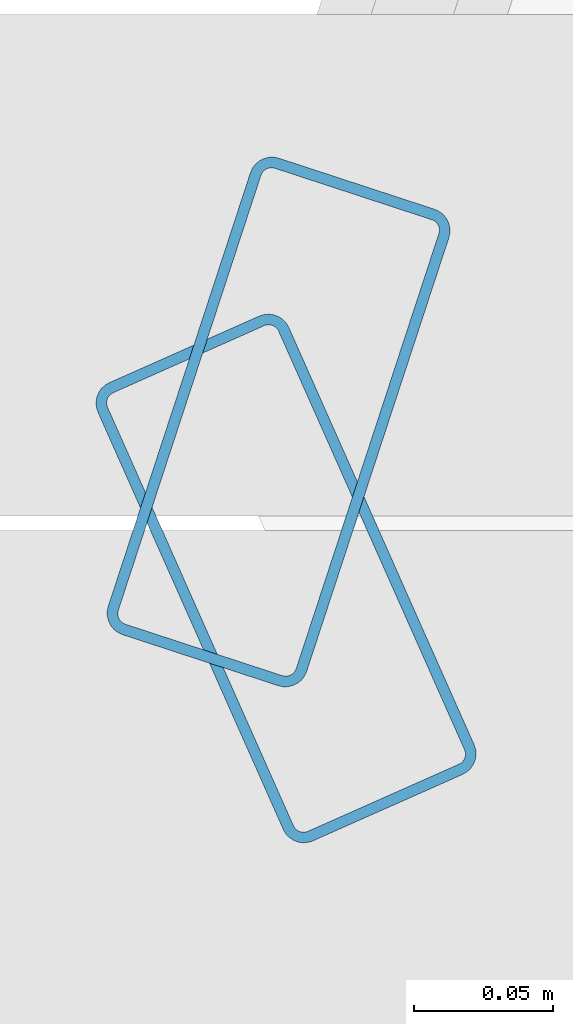
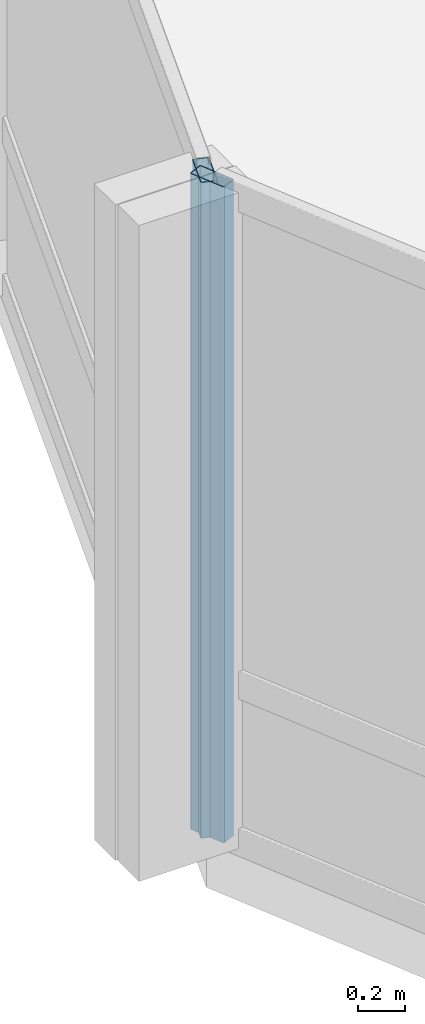
# One storey, part 6 of 34: 2 members, 2 elements without a shape of their own.
"""IFC4 building model written with IfcOpenShell, lengths in metres."""

from ifc_helpers import new_model, si_unit, direction, frame, origin, origin_2d, place, context, subcontext, project, spatial, hollow_rectangle, extrude, material, layer, layer_set, material_profile, profile_set, type_object, element, aggregate, save


model = new_model("IFC4")

# Units and contexts
model_context = context("Model", 3, precision=1e-05, world=origin(), true_north=direction((0.0, 1.0)))
body_context = subcontext(model_context, "Body", "Model", "MODEL_VIEW")
ifc_project = project(units=[si_unit("LENGTHUNIT", "METRE"), si_unit("AREAUNIT", "SQUARE_METRE"), si_unit("VOLUMEUNIT", "CUBIC_METRE"), si_unit("PLANEANGLEUNIT", "RADIAN"), si_unit("MASSUNIT", "GRAM", prefix="KILO")], contexts=[model_context])

# Site, building, storey
site_placement = place(None, origin())
site = spatial("IfcSite", under=ifc_project, at=site_placement, CompositionType="ELEMENT")
building_placement = place(site_placement, origin())
building = spatial("IfcBuilding", under=site, at=building_placement, Name="Solvaryn Broadcast Tower", CompositionType="ELEMENT")
storey_placement = place(building_placement, frame((0.0, 0.0, 76.699951171875)))
storey = spatial("IfcBuildingStorey", under=building, at=storey_placement, Name="L18", CompositionType="ELEMENT", Elevation=76.699951171875)

# Curtain wall, member
ifc_material_1 = material(Name="Aluminium and Terracotta Unitised Curtain Wall", Category="masonry")
ifc_layer = layer(ifc_material_1, 0.199951171875)
ifc_layer_set = layer_set([ifc_layer], Name="CW-SYS2-LOWMID")
curtain_wall_type = type_object("IfcCurtainWallType", Name="CW-SYS2-LOWMID", PredefinedType="NOTDEFINED", material=ifc_layer_set)
curtain_wall_1_placement = place(storey_placement, origin())
curtain_wall_1 = element("IfcCurtainWall", 1, at=curtain_wall_1_placement, inside=storey, type_object=curtain_wall_type, Name="L18 Curtain Wall DR1", PredefinedType="NOTDEFINED")
ifc_material_2 = material(Name="Anodised Aluminium 6063-T6", Category="aluminium")
ifc_material_profile = material_profile(ifc_material_2, hollow_rectangle(XDim=0.074951171875, YDim=0.179931640625, WallThickness=0.00390625, InnerFilletRadius=0.00390625, OuterFilletRadius=0.008056640625, at=origin_2d()))
ifc_profile_set = profile_set([ifc_material_profile], Name="Anodised Aluminium 6063-T6")
member_type = type_object("IfcMemberType", Name="CW-MUL-180", PredefinedType="MULLION", material=ifc_profile_set)
member_1_placement = place(storey_placement, frame((-0.45458984375, 26.588623046875, 0.0), z_axis=(0.0, 0.0, 1.0), x_axis=(0.950215318429, -0.311594044587, 0.0)))
member_1 = element("IfcMember", 2, at=member_1_placement, type_object=member_type, Name="CWS2 mullion 2", PredefinedType="MULLION", context=body_context, shape_type="SweptSolid", body=[
    extrude(hollow_rectangle(XDim=0.074951171875, YDim=0.179931640625, WallThickness=0.00390625, InnerFilletRadius=0.00390625, OuterFilletRadius=0.008056640625, at=origin_2d()), origin(), (0.0, 0.0, 1.0), 3.420166015625),
])
aggregate(curtain_wall_1, [member_1])

curtain_wall_2_placement = place(storey_placement, origin())
curtain_wall_2 = element("IfcCurtainWall", 3, at=curtain_wall_2_placement, inside=storey, type_object=curtain_wall_type, Name="L18 Curtain Wall DR2", PredefinedType="NOTDEFINED")
member_2_placement = place(storey_placement, frame((-0.451904296875, 26.532470703125, 0.0), z_axis=(0.0, 0.0, 1.0), x_axis=(0.913918257271, 0.405898286554, 0.0)))
member_2 = element("IfcMember", 4, at=member_2_placement, type_object=member_type, Name="CWS2 mullion 1", PredefinedType="MULLION", context=body_context, shape_type="SweptSolid", body=[
    extrude(hollow_rectangle(XDim=0.074951171875, YDim=0.179931640625, WallThickness=0.00390625, InnerFilletRadius=0.00390625, OuterFilletRadius=0.008056640625, at=origin_2d()), origin(), (0.0, 0.0, 1.0), 3.420166015625),
])
aggregate(curtain_wall_2, [member_2])

save(model, "model.ifc")
